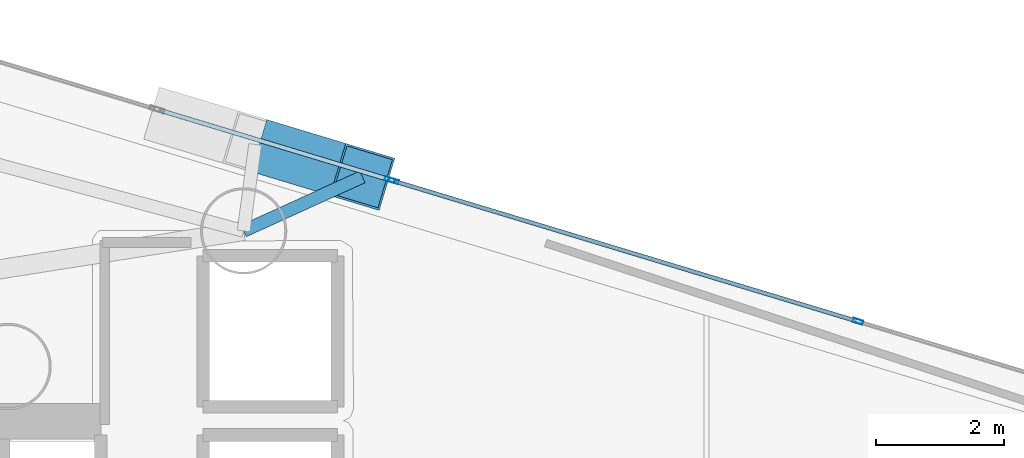
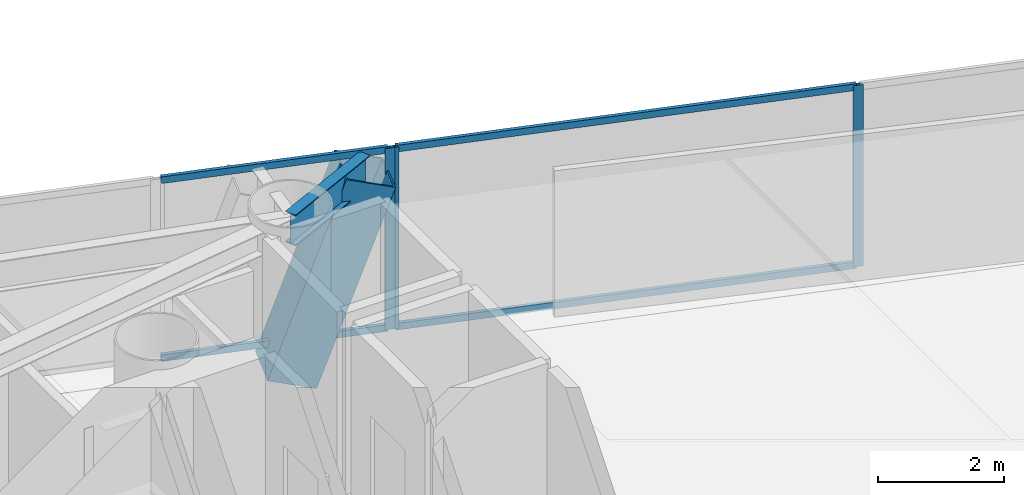
# One storey, part 14 of 22: 8 members, 1 beam, 2 elements without a shape of their own.
"""IFC4 building model written with IfcOpenShell, lengths in metres."""

from ifc_helpers import new_model, si_unit, direction, frame, origin, origin_2d, place, context, subcontext, project, spatial, hollow_rectangle, i_section, extrude, material, layer, layer_set, material_profile, profile_set, type_object, element, aggregate, save


model = new_model("IFC4")

# Units and contexts
model_context = context("Model", 3, precision=1e-05, world=origin(), true_north=direction((0.0, 1.0)))
body_context = subcontext(model_context, "Body", "Model", "MODEL_VIEW")
ifc_project = project(units=[si_unit("LENGTHUNIT", "METRE"), si_unit("AREAUNIT", "SQUARE_METRE"), si_unit("VOLUMEUNIT", "CUBIC_METRE"), si_unit("PLANEANGLEUNIT", "RADIAN"), si_unit("MASSUNIT", "GRAM", prefix="KILO")], contexts=[model_context])

# Site, building, storey
site_placement = place(None, origin())
site = spatial("IfcSite", under=ifc_project, at=site_placement, CompositionType="ELEMENT")
building_placement = place(site_placement, origin())
building = spatial("IfcBuilding", under=site, at=building_placement, Name="Qianvela Tower", CompositionType="ELEMENT")
storey_placement = place(building_placement, frame((0.0, 0.0, 177.199951171875)))
storey = spatial("IfcBuildingStorey", under=building, at=storey_placement, Name="L45", CompositionType="ELEMENT", Elevation=177.199951171875)

# Beam
ifc_material_1 = material(Name="Steel Q355B", Category="steel")
ifc_material_profile_1 = material_profile(ifc_material_1, i_section(OverallWidth=0.199951171875, OverallDepth=0.60009765625, WebThickness=0.010986328125, FlangeThickness=0.01708984375, at=origin_2d()), Name="HN600x200x11x17")
ifc_profile_set_1 = profile_set([ifc_material_profile_1], Name="Steel Q355B")
beam_type = type_object("IfcBeamType", Name="BM-HN600-GIRD", PredefinedType="BEAM", material=ifc_profile_set_1)
beam_placement = place(storey_placement, frame((42.0830078125, 35.6689453125, 3.218017578125), z_axis=(0.910108137071, 0.41437082286, 0.0), x_axis=(-0.41437082286, 0.910108137071, 0.0)))
element("IfcBeam", 1, at=beam_placement, inside=storey, type_object=beam_type, Name="L45 Mega-Brace Column Tie Bracket F1-1", PredefinedType="BEAM", context=body_context, shape_type="SweptSolid", body=[
    extrude(i_section(OverallWidth=0.199951171875, OverallDepth=0.60009765625, WebThickness=0.010986328125, FlangeThickness=0.01708984375, at=origin_2d()), origin(), (0.0, 0.0, 1.0), 2.040283203125),
])

# Curtain wall, members
ifc_material_2 = material(Name="Anodised Architectural Aluminium and Insulated Spandrel Panel", Category="aluminium")
ifc_layer_1 = layer(ifc_material_2, 0.179931640625)
ifc_layer_set_1 = layer_set([ifc_layer_1], Name="Anodised Architectural Aluminium and Insulated Spandrel Panel")
curtain_wall_type_1 = type_object("IfcCurtainWallType", Name="CW-BRACEBAY", PredefinedType="USERDEFINED", material=ifc_layer_set_1)
curtain_wall_1_placement = place(storey_placement, origin())
curtain_wall_1 = element("IfcCurtainWall", 2, at=curtain_wall_1_placement, inside=storey, type_object=curtain_wall_type_1, Name="L45 CW-BRACEBAY Curtain Wall 02B", ObjectType="CURTAIN_WALL_SYSTEM", PredefinedType="USERDEFINED")
ifc_material_3 = material(Name="Anodised Architectural Aluminium 6063-T6", Category="aluminium")
ifc_material_profile_2 = material_profile(ifc_material_3, hollow_rectangle(XDim=0.06494140625, YDim=0.159912109375, WallThickness=0.0048828125, at=origin_2d()), Name="ALU-MULL-65x160")
ifc_profile_set_2 = profile_set([ifc_material_profile_2], Name="Anodised Architectural Aluminium 6063-T6")
member_type_1 = type_object("IfcMemberType", Name="CW-BRACEBAY-MULL", PredefinedType="MULLION", material=ifc_profile_set_2)
member_1_placement = place(storey_placement, frame((44.366455078125, 36.46875, 0.0), z_axis=(0.0, 0.0, 1.0), x_axis=(-0.289581992541, -0.95715321114, 0.0)))
member_1 = element("IfcMember", 3, at=member_1_placement, type_object=member_type_1, Name="CW-9 mullion 1", PredefinedType="MULLION", context=body_context, shape_type="SweptSolid", body=[
    extrude(hollow_rectangle(XDim=0.06494140625, YDim=0.159912109375, WallThickness=0.0048828125, at=origin_2d()), origin(), (0.0, 0.0, 1.0), 3.52001953125),
])
ifc_material_4 = material(Name="Anodised Architectural Aluminium 6063-T6", Category="aluminium")
ifc_material_profile_3 = material_profile(ifc_material_4, hollow_rectangle(XDim=0.06494140625, YDim=0.1298828125, WallThickness=0.00439453125, at=origin_2d()), Name="ALU-TRAN-65x130")
ifc_profile_set_3 = profile_set([ifc_material_profile_3], Name="Anodised Architectural Aluminium 6063-T6")
member_type_2 = type_object("IfcMemberType", Name="CW-BRACEBAY-TRAN", PredefinedType="USERDEFINED", material=ifc_profile_set_3)
member_2_placement = place(storey_placement, frame((44.335205078125, 36.478271484375, 0.032470703125), z_axis=(-0.957166358122, 0.289538534361, 0.0), x_axis=(-0.289538534361, -0.957166358122, 0.0)))
member_2 = element("IfcMember", 4, at=member_2_placement, type_object=member_type_2, Name="CW-9 transom 1.1", ObjectType="TRANSOM", PredefinedType="USERDEFINED", context=body_context, shape_type="SweptSolid", body=[
    extrude(hollow_rectangle(XDim=0.06494140625, YDim=0.1298828125, WallThickness=0.00439453125, at=origin_2d()), origin(), (0.0, 0.0, 1.0), 3.699951171875),
])
member_3_placement = place(storey_placement, frame((44.335205078125, 36.478271484375, 3.487548828125), z_axis=(-0.957166358122, 0.289538534361, 0.0), x_axis=(-0.289538534361, -0.957166358122, 0.0)))
member_3 = element("IfcMember", 5, at=member_3_placement, type_object=member_type_2, Name="CW-9 transom 1.2", ObjectType="TRANSOM", PredefinedType="USERDEFINED", context=body_context, shape_type="SweptSolid", body=[
    extrude(hollow_rectangle(XDim=0.06494140625, YDim=0.1298828125, WallThickness=0.00439453125, at=origin_2d()), origin(), (0.0, 0.0, 1.0), 3.699951171875),
])
aggregate(curtain_wall_1, [member_1, member_2, member_3])

ifc_material_5 = material(Name="Anodised Architectural Aluminium and Low-E Glass", Category="aluminium")
ifc_layer_2 = layer(ifc_material_5, 0.169921875)
ifc_layer_set_2 = layer_set([ifc_layer_2], Name="Anodised Architectural Aluminium and Low-E Glass")
curtain_wall_type_2 = type_object("IfcCurtainWallType", Name="CW-COLIV-Z34", PredefinedType="USERDEFINED", material=ifc_layer_set_2)
curtain_wall_2_placement = place(storey_placement, origin())
curtain_wall_2 = element("IfcCurtainWall", 6, at=curtain_wall_2_placement, inside=storey, type_object=curtain_wall_type_2, Name="L45 CW-COLIV-Z34 Curtain Wall 02A", ObjectType="CURTAIN_WALL_SYSTEM", PredefinedType="USERDEFINED")
ifc_material_6 = material(Name="Anodised Architectural Aluminium 6063-T6", Category="aluminium")
ifc_material_profile_4 = material_profile(ifc_material_6, hollow_rectangle(XDim=0.06494140625, YDim=0.159912109375, WallThickness=0.0048828125, at=origin_2d()), Name="ALU-MULL-65x160")
ifc_profile_set_4 = profile_set([ifc_material_profile_4], Name="Anodised Architectural Aluminium 6063-T6")
member_type_3 = type_object("IfcMemberType", Name="CW-COLIV-Z34-MULL", PredefinedType="MULLION", material=ifc_profile_set_4)
member_4_placement = place(storey_placement, frame((51.686279296875, 34.254150390625, 0.0), z_axis=(0.0, 0.0, 1.0), x_axis=(-0.28958075251, -0.957153586305, 0.0)))
member_4 = element("IfcMember", 7, at=member_4_placement, type_object=member_type_3, Name="CW-4 mullion 2", PredefinedType="MULLION", context=body_context, shape_type="SweptSolid", body=[
    extrude(hollow_rectangle(XDim=0.06494140625, YDim=0.159912109375, WallThickness=0.0048828125, at=origin_2d()), origin(), (0.0, 0.0, 1.0), 3.52001953125),
])
member_5_placement = place(storey_placement, frame((44.4287109375, 36.449951171875, 0.0), z_axis=(0.0, 0.0, 1.0), x_axis=(-0.28958075251, -0.957153586305, 0.0)))
member_5 = element("IfcMember", 8, at=member_5_placement, type_object=member_type_3, Name="CW-4 mullion 3", PredefinedType="MULLION", context=body_context, shape_type="SweptSolid", body=[
    extrude(hollow_rectangle(XDim=0.06494140625, YDim=0.159912109375, WallThickness=0.0048828125, at=origin_2d()), origin(), (0.0, 0.0, 1.0), 3.52001953125),
])
ifc_material_7 = material(Name="Anodised Architectural Aluminium 6063-T6", Category="aluminium")
ifc_material_profile_5 = material_profile(ifc_material_7, hollow_rectangle(XDim=0.06494140625, YDim=0.1298828125, WallThickness=0.00439453125, at=origin_2d()), Name="ALU-TRAN-65x130")
ifc_profile_set_5 = profile_set([ifc_material_profile_5], Name="Anodised Architectural Aluminium 6063-T6")
member_type_4 = type_object("IfcMemberType", Name="CW-COLIV-Z34-TRAN", PredefinedType="USERDEFINED", material=ifc_profile_set_5)
member_6_placement = place(storey_placement, frame((51.655029296875, 34.263671875, 0.032470703125), z_axis=(-0.957149687158, 0.289593640078, 0.0), x_axis=(-0.289593640078, -0.957149687158, 0.0)))
member_6 = element("IfcMember", 9, at=member_6_placement, type_object=member_type_4, Name="CW-4 transom 2.1", ObjectType="TRANSOM", PredefinedType="USERDEFINED", context=body_context, shape_type="SweptSolid", body=[
    extrude(hollow_rectangle(XDim=0.06494140625, YDim=0.1298828125, WallThickness=0.00439453125, at=origin_2d()), origin(), (0.0, 0.0, 1.0), 7.517333984375),
])
member_7_placement = place(storey_placement, frame((51.655029296875, 34.263671875, 3.487548828125), z_axis=(-0.957149687158, 0.289593640078, 0.0), x_axis=(-0.289593640078, -0.957149687158, 0.0)))
member_7 = element("IfcMember", 10, at=member_7_placement, type_object=member_type_4, Name="CW-4 transom 2.2", ObjectType="TRANSOM", PredefinedType="USERDEFINED", context=body_context, shape_type="SweptSolid", body=[
    extrude(hollow_rectangle(XDim=0.06494140625, YDim=0.1298828125, WallThickness=0.00439453125, at=origin_2d()), origin(), (0.0, 0.0, 1.0), 7.517333984375),
])
aggregate(curtain_wall_2, [member_4, member_5, member_6, member_7])

# Member
ifc_material_8 = material(Name="Steel Q420GJC", Category="steel")
ifc_material_profile_6 = material_profile(ifc_material_8, hollow_rectangle(XDim=0.85009765625, YDim=0.85009765625, WallThickness=0.031982421875, at=origin_2d()), Name="MBOX-850x850x32")
ifc_profile_set_6 = profile_set([ifc_material_profile_6], Name="Steel Q420GJC")
member_type_5 = type_object("IfcMemberType", Name="MBR-MBRACE-850", PredefinedType="BRACE", material=ifc_profile_set_6)
member_8_placement = place(storey_placement, frame((42.705322265625, 36.8876953125, -0.48193359375), z_axis=(0.315088514099, -0.095268012271, 0.944268623921), x_axis=(0.289413700893, 0.957204110802, 0.0)))
element("IfcMember", 11, at=member_8_placement, inside=storey, type_object=member_type_5, Name="L45 Tier 7 Exterior Mega-Brace F1A", PredefinedType="BRACE", context=body_context, shape_type="SweptSolid", body=[
    extrude(hollow_rectangle(XDim=0.85009765625, YDim=0.85009765625, WallThickness=0.031982421875, at=origin_2d()), origin(), (0.0, 0.0, 1.0), 3.918212890625),
])

save(model, "model.ifc")
